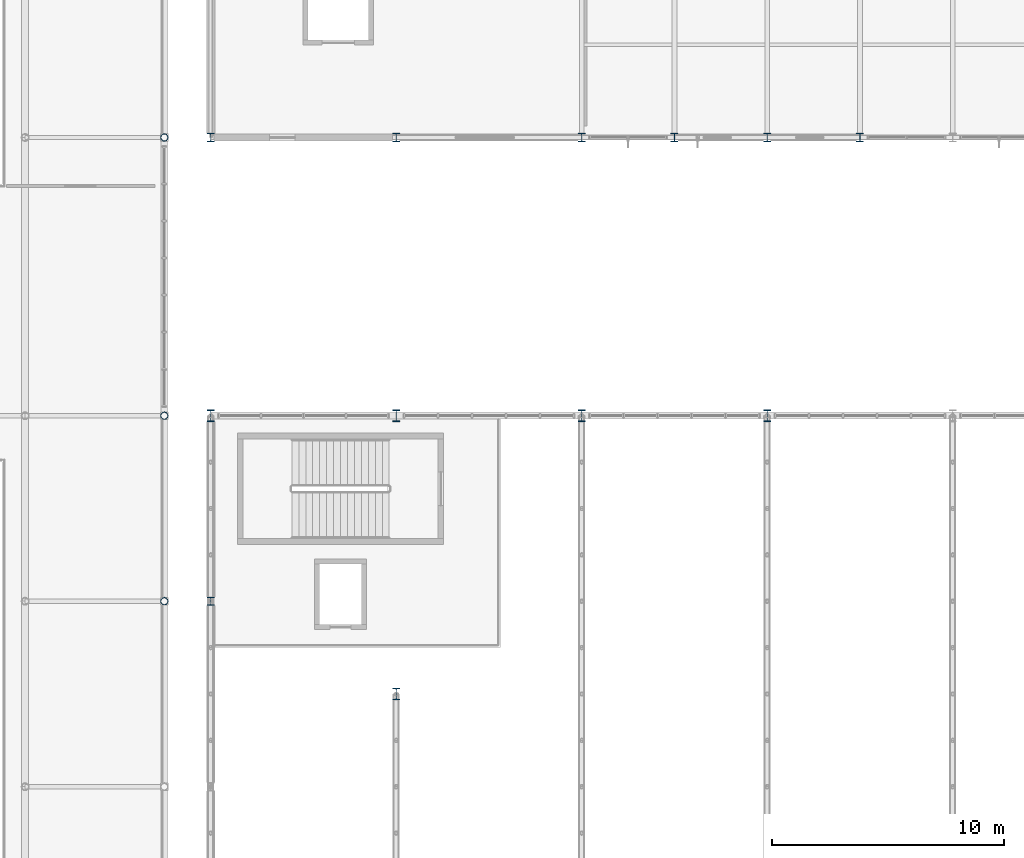
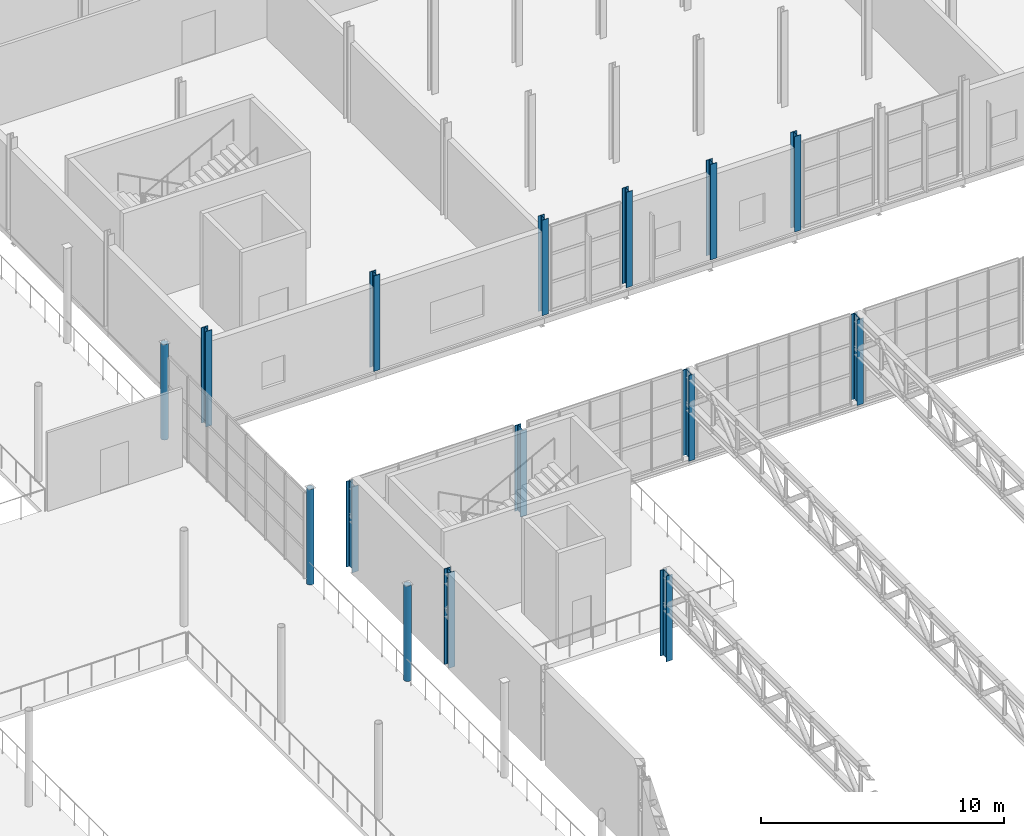
# One storey, part 8 of 143: 15 columns.
"""IFC4 building model written with IfcOpenShell, lengths in metres."""

from ifc_helpers import new_model, si_unit, derived_unit, direction, frame, origin, origin_2d, place, context, subcontext, project, spatial, hollow_circle, i_section, extrude, material, material_profile, profile_set, type_object, element, save


model = new_model("IFC4")

# Units and contexts
model_context = context("Model", 3, precision=1e-05, world=origin(), true_north=direction((0.0, 1.0)))
body_context = subcontext(model_context, "Body", "Model", "MODEL_VIEW")
ifc_project = project(units=[si_unit("LENGTHUNIT", "METRE"), si_unit("AREAUNIT", "SQUARE_METRE"), si_unit("VOLUMEUNIT", "CUBIC_METRE"), si_unit("PLANEANGLEUNIT", "RADIAN"), si_unit("MASSUNIT", "GRAM", prefix="KILO"), derived_unit("THERMALTRANSMITTANCEUNIT", [(si_unit("POWERUNIT", "WATT"), 1), (si_unit("LENGTHUNIT", "METRE"), -2), (si_unit("THERMODYNAMICTEMPERATUREUNIT", "KELVIN"), -1)])], contexts=[model_context])

# Site, building, storey
site_placement = place(None, origin())
site = spatial("IfcSite", under=ifc_project, at=site_placement, CompositionType="ELEMENT")
building_placement = place(site_placement, origin())
building = spatial("IfcBuilding", under=site, at=building_placement, Name="Keldorne Ridge Multi-Sports Centre", CompositionType="ELEMENT")
storey_placement = place(building_placement, frame((0.0, 0.0, 4.800048828125)))
storey = spatial("IfcBuildingStorey", under=building, at=storey_placement, Name="L01", CompositionType="ELEMENT", Elevation=4.800048828125)

# Columns
ifc_material = material(Name="Steel S355", Category="steel")
ifc_material_profile_1 = material_profile(ifc_material, i_section(OverallWidth=0.300048828125, OverallDepth=0.5, WebThickness=0.014404296875, FlangeThickness=0.028076171875, FilletRadius=0.027099609375, at=origin_2d()), Name="HEB 500")
ifc_profile_set_1 = profile_set([ifc_material_profile_1], Name="Steel S355")
column_type_1 = type_object("IfcColumnType", Name="COL-C-05", PredefinedType="COLUMN", material=ifc_profile_set_1)
for number, where, z_axis, x_axis, name in (
    (1, (104.0, 54.0, 0.0), (0.0, 0.0, 1.0), (1.0, 0.0, 0.0), "Structural column V2-TRUSS-N-01 on L01"),
    (2, (112.0, 54.0, 0.0), (0.0, 0.0, 1.0), (1.0, 0.0, 0.0), "Structural column V2-TRUSS-N-02 on L01"),
    (3, (120.0, 54.0, 0.0), (0.0, 0.0, 1.0), (1.0, 0.0, 0.0), "Structural column V2-TRUSS-N-03 on L01"),
    (4, (128.0, 54.0, 0.0), (0.0, 0.0, 1.0), (1.0, 0.0, 0.0), "Structural column V2-TRUSS-N-04 on L01"),
    (5, (112.0, 42.0, 0.0), (0.0, 0.0, 1.0), (1.0, 0.0, 0.0), "Structural column V2-C4-ANCH on L01"),
):
    element("IfcColumn", number, at=place(storey_placement, frame(where, z_axis=z_axis, x_axis=x_axis)), inside=storey, type_object=column_type_1, Name=name, PredefinedType="COLUMN", context=body_context, shape_type="SweptSolid", body=[
        extrude(i_section(OverallWidth=0.300048828125, OverallDepth=0.5, WebThickness=0.014404296875, FlangeThickness=0.028076171875, FilletRadius=0.027099609375, at=origin_2d()), origin(), (0.0, 0.0, 1.0), 4.31005859375),
    ])
ifc_material_profile_2 = material_profile(ifc_material, hollow_circle(Radius=0.161865234375, WallThickness=0.01611328125, at=origin_2d()), Name="CHS 323.9x16")
ifc_profile_set_2 = profile_set([ifc_material_profile_2], Name="Steel S355")
column_type_2 = type_object("IfcColumnType", Name="COL-C-08", PredefinedType="COLUMN", material=ifc_profile_set_2)
for number, where, z_axis, x_axis, name in (
    (6, (102.0, 46.0, 0.0), (0.0, 0.0, 1.0), (1.0, 0.0, 0.0), "Structural column V4-G15-06 on L01"),
    (7, (102.0, 54.0, 0.0), (0.0, 0.0, 1.0), (1.0, 0.0, 0.0), "Structural column V4-G15-07 on L01"),
    (8, (102.0, 66.0, 0.0), (0.0, 0.0, 1.0), (1.0, 0.0, 0.0), "Structural column V4-G15-08 on L01"),
):
    element("IfcColumn", number, at=place(storey_placement, frame(where, z_axis=z_axis, x_axis=x_axis)), inside=storey, type_object=column_type_2, Name=name, PredefinedType="COLUMN", context=body_context, shape_type="SweptSolid", body=[
        extrude(hollow_circle(Radius=0.161865234375, WallThickness=0.01611328125, at=origin_2d()), origin(), (0.0, 0.0, 1.0), 4.800048828125),
    ])
ifc_material_profile_3 = material_profile(ifc_material, i_section(OverallWidth=0.300048828125, OverallDepth=0.360107421875, WebThickness=0.012451171875, FlangeThickness=0.0224609375, FilletRadius=0.027099609375, at=origin_2d()), Name="HEB 360")
ifc_profile_set_3 = profile_set([ifc_material_profile_3], Name="Steel S355")
column_type_3 = type_object("IfcColumnType", Name="COL-C-10", PredefinedType="COLUMN", material=ifc_profile_set_3)
for number, where, z_axis, x_axis, name in (
    (9, (104.0, 46.0, 0.0), (0.0, 0.0, 1.0), (1.0, 0.0, 0.0), "Structural column V2-GABLE-W-05 on L01"),
    (10, (104.0, 66.0, 0.0), (0.0, 0.0, 1.0), (1.0, 0.0, 0.0), "Structural column V5-C-01-01 on L01"),
    (11, (112.0, 66.0, 0.0), (0.0, 0.0, 1.0), (1.0, 0.0, 0.0), "Structural column V5-C-02-01 on L01"),
    (12, (120.0, 66.0, 0.0), (0.0, 0.0, 1.0), (1.0, 0.0, 0.0), "Structural column V5-C-03-01 on L01"),
    (13, (124.0, 66.0, 0.0), (0.0, 0.0, 1.0), (1.0, 0.0, 0.0), "Structural column V5-C-04-01 on L01"),
    (14, (128.0, 66.0, 0.0), (0.0, 0.0, 1.0), (1.0, 0.0, 0.0), "Structural column V5-C-05-01 on L01"),
    (15, (132.0, 66.0, 0.0), (0.0, 0.0, 1.0), (1.0, 0.0, 0.0), "Structural column V5-C-06-01 on L01"),
):
    element("IfcColumn", number, at=place(storey_placement, frame(where, z_axis=z_axis, x_axis=x_axis)), inside=storey, type_object=column_type_3, Name=name, PredefinedType="COLUMN", context=body_context, shape_type="SweptSolid", body=[
        extrude(i_section(OverallWidth=0.300048828125, OverallDepth=0.360107421875, WebThickness=0.012451171875, FlangeThickness=0.0224609375, FilletRadius=0.027099609375, at=origin_2d()), origin(), (0.0, 0.0, 1.0), 4.800048828125),
    ])

save(model, "model.ifc")
